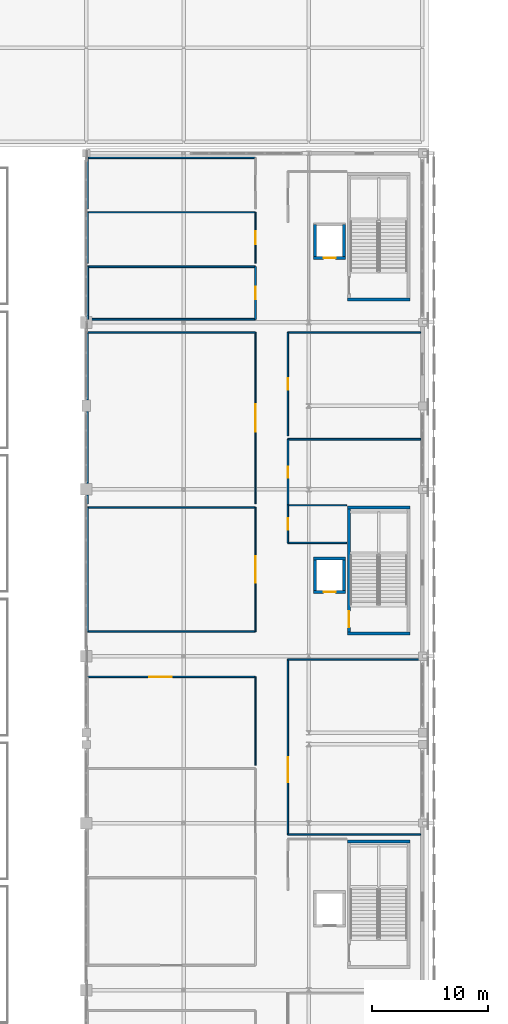
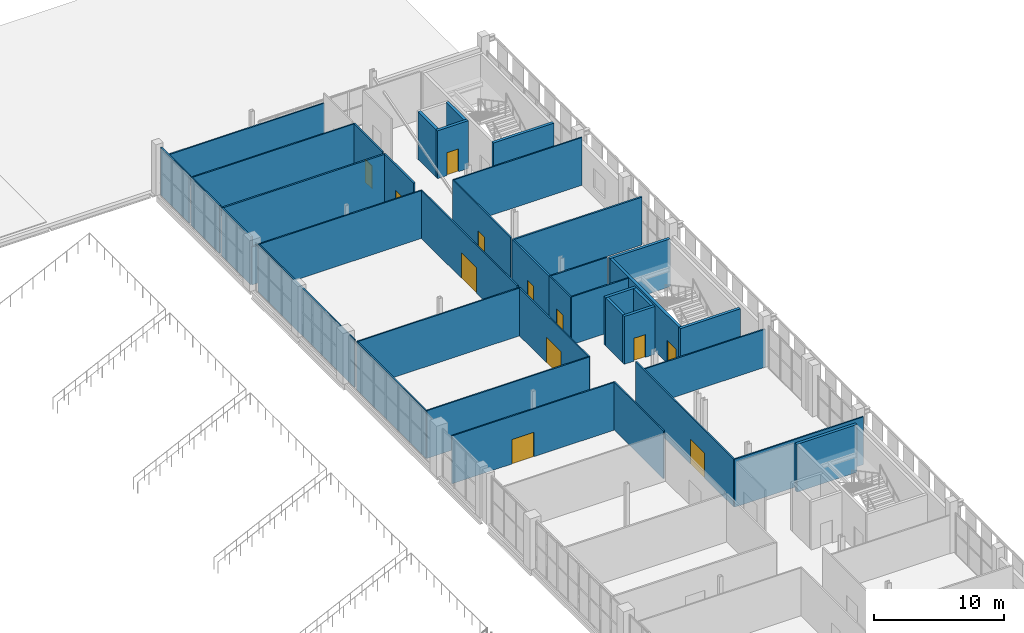
# One storey, part 71 of 104: 40 walls, 12 doors, 12 openings.
"""IFC4 building model written with IfcOpenShell, lengths in metres."""

from ifc_helpers import new_model, si_unit, direction, frame, frame_2d, origin, place, context, subcontext, project, spatial, rectangle, extrude, material, layer, layer_set, type_object, element, fill, save


model = new_model("IFC4")

# Units and contexts
model_context = context("Model", 3, precision=1e-05, world=origin(), true_north=direction((0.0, 1.0)))
body_context = subcontext(model_context, "Body", "Model", "MODEL_VIEW")
ifc_project = project(units=[si_unit("LENGTHUNIT", "METRE"), si_unit("AREAUNIT", "SQUARE_METRE"), si_unit("VOLUMEUNIT", "CUBIC_METRE"), si_unit("PLANEANGLEUNIT", "RADIAN"), si_unit("MASSUNIT", "GRAM", prefix="KILO")], contexts=[model_context])

# Site, building, storey
site_placement = place(None, origin())
site = spatial("IfcSite", under=ifc_project, at=site_placement, CompositionType="ELEMENT")
building_placement = place(site_placement, origin())
building = spatial("IfcBuilding", under=site, at=building_placement, Name="Koshinbarg Plaza Stadium", CompositionType="ELEMENT")
storey_placement = place(building_placement, frame((0.0, 0.0, 19.800048828125)))
storey = spatial("IfcBuildingStorey", under=building, at=storey_placement, Name="L04", CompositionType="ELEMENT", Elevation=19.800048828125)

# Walls
ifc_material_1 = material(Name="Concrete C40/50", Category="concrete")
ifc_layer_1 = layer(ifc_material_1, 0.25)
ifc_layer_set_1 = layer_set([ifc_layer_1], Name="Concrete C40/50")
wall_type_1 = type_object("IfcWallType", Name="WL-CORE-250", PredefinedType="SHEAR", material=ifc_layer_set_1)
for number, where, z_axis, x_axis, name in (
    (1, (217.320068359375, 67.125, 0.0), (0.0, 0.0, 1.0), (-1.0, 0.0, 0.0), "L04 core stair shear wall C08-far IWL-L04-0203"),
    (2, (211.949951171875, 85.074951171875, 0.0), (0.0, 0.0, 1.0), (1.0, 0.0, 0.0), "L04 core stair shear wall C09-near IWL-L04-0226"),
    (3, (217.320068359375, 95.925048828125, 0.0), (0.0, 0.0, 1.0), (-1.0, 0.0, 0.0), "L04 core stair shear wall C09-far IWL-L04-0227"),
):
    element("IfcWall", number, at=place(storey_placement, frame(where, z_axis=z_axis, x_axis=x_axis)), inside=storey, type_object=wall_type_1, Name=name, PredefinedType="SHEAR", context=body_context, shape_type="SweptSolid", body=[
        extrude(rectangle(XDim=5.3701171875, YDim=0.25, at=frame_2d((2.68505859375, 0.0))), origin(), (0.0, 0.0, 1.0), 4.5),
    ])

# Wall, opening, door
wall_1_placement = place(storey_placement, frame((212.074951171875, 85.074951171875, 0.0), z_axis=(0.0, 0.0, 1.0), x_axis=(0.0, 1.0, 0.0)))
wall_1 = element("IfcWall", 4, at=wall_1_placement, inside=storey, type_object=wall_type_1, Name="L04 core stair shear wall C09-left IWL-L04-0228", PredefinedType="SHEAR", context=body_context, shape_type="SweptSolid", body=[
    extrude(rectangle(XDim=10.85009765625, YDim=0.25, at=frame_2d((5.425048828125, 0.0))), origin(), (0.0, 0.0, 1.0), 4.5),
])
opening_1_placement = place(wall_1_placement, frame((0.52001953125, 0.0, 0.0)))
opening_1 = element("IfcOpeningElement", 5, at=opening_1_placement, cuts=wall_1, Name="Opening D-0119", PredefinedType="OPENING", context=body_context, shape_type="SweptSolid", body=[
    extrude(rectangle(XDim=1.39990234375, YDim=2.14990234375, at=frame_2d((0.699951171875, 1.074951171875))), frame((0.0, 0.135009765625, 0.0), z_axis=(0.0, -1.0, 0.0), x_axis=(1.0, 0.0, 0.0)), (0.0, 0.0, 1.0), 0.27001953125),
])
ifc_material_2 = material(Name="Painted galvanized steel fire door", Category="steel")
door_type_1 = type_object("IfcDoorType", Name="DR-STAIR-1400", OperationType="NOTDEFINED", PredefinedType="DOOR", material=ifc_material_2)
door_1_placement = place(opening_1_placement, frame((1.39990234375, 0.0, 0.0), z_axis=(0.0, 0.0, 1.0), x_axis=(-1.0, 0.0, 0.0)))
door_1 = element("IfcDoor", 6, at=door_1_placement, inside=storey, type_object=door_type_1, Name="L04 exit stair door C09", OperationType="SINGLE_SWING_RIGHT", OverallHeight=2.14990234375, OverallWidth=1.39990234375, PredefinedType="DOOR", context=body_context, shape_type="SweptSolid", body=[
    extrude(rectangle(XDim=1.39990234375, YDim=2.14990234375, at=frame_2d((0.699951171875, 1.074951171875))), frame((0.0, 0.02490234375, 0.0), z_axis=(0.0, -1.0, 0.0), x_axis=(1.0, 0.0, 0.0)), (0.0, 0.0, 1.0), 0.050048828125),
])
fill(opening_1, door_1)

# Wall
wall_2_placement = place(storey_placement, frame((211.949951171875, 113.875, 0.0), z_axis=(0.0, 0.0, 1.0), x_axis=(1.0, 0.0, 0.0)))
element("IfcWall", 7, at=wall_2_placement, inside=storey, type_object=wall_type_1, Name="L04 core stair shear wall C10-near IWL-L04-0250", PredefinedType="SHEAR", context=body_context, shape_type="SweptSolid", body=[
    extrude(rectangle(XDim=5.3701171875, YDim=0.25, at=frame_2d((2.68505859375, 0.0))), origin(), (0.0, 0.0, 1.0), 4.5),
])

# Wall, opening, door
wall_3_placement = place(storey_placement, frame((209.02490234375, 88.64990234375, 0.0), z_axis=(0.0, 0.0, 1.0), x_axis=(1.0, 0.0, 0.0)))
wall_3 = element("IfcWall", 8, at=wall_3_placement, inside=storey, type_object=wall_type_1, Name="L04 lift shaft shear wall LP05-S IWL-L04-0926", PredefinedType="SHEAR", context=body_context, shape_type="SweptSolid", body=[
    extrude(rectangle(XDim=2.75, YDim=0.25, at=frame_2d((1.375, 0.0))), origin(), (0.0, 0.0, 1.0), 4.5),
])
opening_2_placement = place(wall_3_placement, frame((0.85009765625, 0.0, 0.0)))
opening_2 = element("IfcOpeningElement", 9, at=opening_2_placement, cuts=wall_3, Name="Opening D-0301", PredefinedType="OPENING", context=body_context, shape_type="SweptSolid", body=[
    extrude(rectangle(XDim=1.050048828125, YDim=2.14990234375, at=frame_2d((0.52490234375, 1.074951171875))), frame((0.0, 0.135009765625, 0.0), z_axis=(0.0, -1.0, 0.0), x_axis=(1.0, 0.0, 0.0)), (0.0, 0.0, 1.0), 0.27001953125),
])
ifc_material_3 = material(Name="Brushed stainless steel sliding lift landing door", Category="steel")
door_type_2 = type_object("IfcDoorType", Name="DR-LIFT-1050", OperationType="NOTDEFINED", PredefinedType="DOOR", material=ifc_material_3)
door_2_placement = place(opening_2_placement, origin())
door_2 = element("IfcDoor", 10, at=door_2_placement, inside=storey, type_object=door_type_2, Name="L04 lift landing door LP05", OperationType="SLIDING_TO_RIGHT", OverallHeight=2.14990234375, OverallWidth=1.050048828125, PredefinedType="DOOR", context=body_context, shape_type="SweptSolid", body=[
    extrude(rectangle(XDim=1.050048828125, YDim=2.14990234375, at=frame_2d((0.52490234375, 1.074951171875))), frame((0.0, 0.02490234375, 0.0), z_axis=(0.0, -1.0, 0.0), x_axis=(1.0, 0.0, 0.0)), (0.0, 0.0, 1.0), 0.050048828125),
])
fill(opening_2, door_2)

# Walls
wall_4_placement = place(storey_placement, frame((211.77490234375, 91.550048828125, 0.0), z_axis=(0.0, 0.0, 1.0), x_axis=(-1.0, 0.0, 0.0)))
element("IfcWall", 11, at=wall_4_placement, inside=storey, type_object=wall_type_1, Name="L04 lift shaft shear wall LP05-N IWL-L04-0927", PredefinedType="SHEAR", context=body_context, shape_type="SweptSolid", body=[
    extrude(rectangle(XDim=2.75, YDim=0.25, at=frame_2d((1.375, 0.0))), origin(), (0.0, 0.0, 1.0), 4.5),
])
for number, where, z_axis, x_axis, name in (
    (12, (209.14990234375, 91.550048828125, 0.0), (0.0, 0.0, 1.0), (0.0, -1.0, 0.0), "L04 lift shaft shear wall LP05-W IWL-L04-0928"),
    (13, (211.64990234375, 88.64990234375, 0.0), (0.0, 0.0, 1.0), (0.0, 1.0, 0.0), "L04 lift shaft shear wall LP05-E IWL-L04-0929"),
):
    element("IfcWall", number, at=place(storey_placement, frame(where, z_axis=z_axis, x_axis=x_axis)), inside=storey, type_object=wall_type_1, Name=name, PredefinedType="SHEAR", context=body_context, shape_type="SweptSolid", body=[
        extrude(rectangle(XDim=2.900146484375, YDim=0.25, at=frame_2d((1.4501953125, 0.0))), origin(), (0.0, 0.0, 1.0), 4.5),
    ])

# Wall, opening, door
wall_5_placement = place(storey_placement, frame((209.02490234375, 117.449951171875, 0.0), z_axis=(0.0, 0.0, 1.0), x_axis=(1.0, 0.0, 0.0)))
wall_5 = element("IfcWall", 14, at=wall_5_placement, inside=storey, type_object=wall_type_1, Name="L04 lift shaft shear wall LP06-S IWL-L04-0950", PredefinedType="SHEAR", context=body_context, shape_type="SweptSolid", body=[
    extrude(rectangle(XDim=2.75, YDim=0.25, at=frame_2d((1.375, 0.0))), origin(), (0.0, 0.0, 1.0), 4.5),
])
opening_3_placement = place(wall_5_placement, frame((0.85009765625, 0.0, 0.0)))
opening_3 = element("IfcOpeningElement", 15, at=opening_3_placement, cuts=wall_5, Name="Opening D-0307", PredefinedType="OPENING", context=body_context, shape_type="SweptSolid", body=[
    extrude(rectangle(XDim=1.050048828125, YDim=2.14990234375, at=frame_2d((0.52490234375, 1.074951171875))), frame((0.0, 0.135009765625, 0.0), z_axis=(0.0, -1.0, 0.0), x_axis=(1.0, 0.0, 0.0)), (0.0, 0.0, 1.0), 0.27001953125),
])
door_3_placement = place(opening_3_placement, origin())
door_3 = element("IfcDoor", 16, at=door_3_placement, inside=storey, type_object=door_type_2, Name="L04 lift landing door LP06", OperationType="SLIDING_TO_LEFT", OverallHeight=2.14990234375, OverallWidth=1.050048828125, PredefinedType="DOOR", context=body_context, shape_type="SweptSolid", body=[
    extrude(rectangle(XDim=1.050048828125, YDim=2.14990234375, at=frame_2d((0.52490234375, 1.074951171875))), frame((0.0, 0.02490234375, 0.0), z_axis=(0.0, -1.0, 0.0), x_axis=(1.0, 0.0, 0.0)), (0.0, 0.0, 1.0), 0.050048828125),
])
fill(opening_3, door_3)

# Walls
for number, where, z_axis, x_axis, name in (
    (17, (209.14990234375, 120.35009765625, 0.0), (0.0, 0.0, 1.0), (0.0, -1.0, 0.0), "L04 lift shaft shear wall LP06-W IWL-L04-0952"),
    (18, (211.64990234375, 117.449951171875, 0.0), (0.0, 0.0, 1.0), (0.0, 1.0, 0.0), "L04 lift shaft shear wall LP06-E IWL-L04-0953"),
):
    element("IfcWall", number, at=place(storey_placement, frame(where, z_axis=z_axis, x_axis=x_axis)), inside=storey, type_object=wall_type_1, Name=name, PredefinedType="SHEAR", context=body_context, shape_type="SweptSolid", body=[
        extrude(rectangle(XDim=2.900146484375, YDim=0.25, at=frame_2d((1.4501953125, 0.0))), origin(), (0.0, 0.0, 1.0), 4.5),
    ])
ifc_material_4 = material(Name="Gypsum board metal-stud acoustic partition")
ifc_layer_2 = layer(ifc_material_4, 0.1201171875)
ifc_layer_set_2 = layer_set([ifc_layer_2], Name="Gypsum board metal-stud acoustic partition")
wall_type_2 = type_object("IfcWallType", Name="WL-PART-120", PredefinedType="PARTITIONING", material=ifc_layer_set_2)
wall_6_placement = place(storey_placement, frame((204.0, 73.705078125, 0.0), z_axis=(0.0, 0.0, 1.0), x_axis=(0.0, 1.0, 0.0)))
element("IfcWall", 19, at=wall_6_placement, inside=storey, type_object=wall_type_2, Name="L04 interior partition L04-71-east IWL-L04-2184", PredefinedType="PARTITIONING", context=body_context, shape_type="SweptSolid", body=[
    extrude(rectangle(XDim=7.614990234375, YDim=0.1201171875, at=frame_2d((3.8076171875, 0.0))), origin(), (0.0, 0.0, 1.0), 4.5),
])

# Wall, opening, door
wall_7_placement = place(storey_placement, frame((204.0, 81.320068359375, 0.0), z_axis=(0.0, 0.0, 1.0), x_axis=(-1.0, 0.0, 0.0)))
wall_7 = element("IfcWall", 20, at=wall_7_placement, inside=storey, type_object=wall_type_2, Name="L04 interior partition L04-71-north IWL-L04-2185", PredefinedType="PARTITIONING", context=body_context, shape_type="SweptSolid", body=[
    extrude(rectangle(XDim=14.47998046875, YDim=0.1201171875, at=frame_2d((7.239990234375, 0.0))), origin(), (0.0, 0.0, 1.0), 4.5),
])
opening_4_placement = place(wall_7_placement, frame((7.20556640625, 0.0, 0.0)))
opening_4 = element("IfcOpeningElement", 21, at=opening_4_placement, cuts=wall_7, Name="Opening D-0754", PredefinedType="OPENING", context=body_context, shape_type="SweptSolid", body=[
    extrude(rectangle(XDim=1.9599609375, YDim=2.300048828125, at=frame_2d((0.97998046875, 1.14990234375))), frame((0.0, 0.070068359375, 0.0), z_axis=(0.0, -1.0, 0.0), x_axis=(1.0, 0.0, 0.0)), (0.0, 0.0, 1.0), 0.14013671875),
])
ifc_material_5 = material(Name="Bronze-anodised aluminium glazed double door", Category="aluminium")
door_type_3 = type_object("IfcDoorType", Name="DR-INT-1960x2300", OperationType="NOTDEFINED", PredefinedType="DOOR", material=ifc_material_5)
door_4_placement = place(opening_4_placement, origin())
door_4 = element("IfcDoor", 22, at=door_4_placement, inside=storey, type_object=door_type_3, Name="L04 East Skybox Suite door D-0754", OperationType="DOUBLE_DOOR_SINGLE_SWING", OverallHeight=2.300048828125, OverallWidth=1.9599609375, PredefinedType="DOOR", context=body_context, shape_type="SweptSolid", body=[
    extrude(rectangle(XDim=1.9599609375, YDim=2.300048828125, at=frame_2d((0.97998046875, 1.14990234375))), frame((0.0, 0.02490234375, 0.0), z_axis=(0.0, -1.0, 0.0), x_axis=(1.0, 0.0, 0.0)), (0.0, 0.0, 1.0), 0.050048828125),
])
fill(opening_4, door_4)

# Walls
wall_8_placement = place(storey_placement, frame((206.800048828125, 67.70751953125, 0.0), z_axis=(0.0, 0.0, 1.0), x_axis=(1.0, 0.0, 0.0)))
element("IfcWall", 23, at=wall_8_placement, inside=storey, type_object=wall_type_2, Name="L04 interior partition L04-73-south IWL-L04-2189", PredefinedType="PARTITIONING", context=body_context, shape_type="SweptSolid", body=[
    extrude(rectangle(XDim=11.454833984375, YDim=0.1201171875, at=frame_2d((5.7275390625, 0.0))), origin(), (0.0, 0.0, 1.0), 4.5),
])
wall_9_placement = place(storey_placement, frame((218.2548828125, 82.830078125, 0.0), z_axis=(0.0, 0.0, 1.0), x_axis=(-1.0, 0.0, 0.0)))
element("IfcWall", 24, at=wall_9_placement, inside=storey, type_object=wall_type_2, Name="L04 interior partition L04-73-north IWL-L04-2190", PredefinedType="PARTITIONING", context=body_context, shape_type="SweptSolid", body=[
    extrude(rectangle(XDim=11.454833984375, YDim=0.1201171875, at=frame_2d((5.7275390625, 0.0))), origin(), (0.0, 0.0, 1.0), 3.579833984375),
])

# Wall, opening, door
wall_10_placement = place(storey_placement, frame((206.800048828125, 82.830078125, 0.0), z_axis=(0.0, 0.0, 1.0), x_axis=(0.0, -1.0, 0.0)))
wall_10 = element("IfcWall", 25, at=wall_10_placement, inside=storey, type_object=wall_type_2, Name="L04 interior partition L04-73-west IWL-L04-2191", PredefinedType="PARTITIONING", context=body_context, shape_type="SweptSolid", body=[
    extrude(rectangle(XDim=15.12255859375, YDim=0.1201171875, at=frame_2d((7.561279296875, 0.0))), origin(), (0.0, 0.0, 1.0), 4.5),
])
opening_5_placement = place(wall_10_placement, frame((8.443115234375, 0.0, 0.0)))
opening_5 = element("IfcOpeningElement", 26, at=opening_5_placement, cuts=wall_10, Name="Opening D-0756", PredefinedType="OPENING", context=body_context, shape_type="SweptSolid", body=[
    extrude(rectangle(XDim=2.159912109375, YDim=2.35009765625, at=frame_2d((1.080078125, 1.175048828125))), frame((0.0, 0.070068359375, 0.0), z_axis=(0.0, -1.0, 0.0), x_axis=(1.0, 0.0, 0.0)), (0.0, 0.0, 1.0), 0.14013671875),
])
ifc_material_6 = material(Name="Galvanized painted steel double leaf door", Category="steel")
door_type_4 = type_object("IfcDoorType", Name="DR-INT-2160x2350", OperationType="NOTDEFINED", PredefinedType="DOOR", material=ifc_material_6)
door_5_placement = place(opening_5_placement, origin())
door_5 = element("IfcDoor", 27, at=door_5_placement, inside=storey, type_object=door_type_4, Name="L04 East Skybox Suite door D-0756", OperationType="DOUBLE_DOOR_SINGLE_SWING", OverallHeight=2.35009765625, OverallWidth=2.159912109375, PredefinedType="DOOR", context=body_context, shape_type="SweptSolid", body=[
    extrude(rectangle(XDim=2.159912109375, YDim=2.35009765625, at=frame_2d((1.080078125, 1.175048828125))), frame((0.0, 0.02490234375, 0.0), z_axis=(0.0, -1.0, 0.0), x_axis=(1.0, 0.0, 0.0)), (0.0, 0.0, 1.0), 0.050048828125),
])
fill(opening_5, door_5)

# Wall
wall_11_placement = place(storey_placement, frame((189.52001953125, 85.22998046875, 0.0), z_axis=(0.0, 0.0, 1.0), x_axis=(1.0, 0.0, 0.0)))
element("IfcWall", 28, at=wall_11_placement, inside=storey, type_object=wall_type_2, Name="L04 interior partition L04-74-south IWL-L04-2192", PredefinedType="PARTITIONING", context=body_context, shape_type="SweptSolid", body=[
    extrude(rectangle(XDim=14.47998046875, YDim=0.1201171875, at=frame_2d((7.239990234375, 0.0))), origin(), (0.0, 0.0, 1.0), 4.5),
])

# Wall, opening, door
wall_12_placement = place(storey_placement, frame((204.0, 85.22998046875, 0.0), z_axis=(0.0, 0.0, 1.0), x_axis=(0.0, 1.0, 0.0)))
wall_12 = element("IfcWall", 29, at=wall_12_placement, inside=storey, type_object=wall_type_2, Name="L04 interior partition L04-74-east IWL-L04-2193", PredefinedType="PARTITIONING", context=body_context, shape_type="SweptSolid", body=[
    extrude(rectangle(XDim=10.7109375, YDim=0.1201171875, at=frame_2d((5.35546875, 0.0))), origin(), (0.0, 0.0, 1.0), 4.5),
])
opening_6_placement = place(wall_12_placement, frame((4.21533203125, 0.0, 0.0)))
opening_6 = element("IfcOpeningElement", 30, at=opening_6_placement, cuts=wall_12, Name="Opening D-0757", PredefinedType="OPENING", context=body_context, shape_type="SweptSolid", body=[
    extrude(rectangle(XDim=2.280029296875, YDim=2.39990234375, at=frame_2d((1.14013671875, 1.199951171875))), frame((0.0, 0.070068359375, 0.0), z_axis=(0.0, -1.0, 0.0), x_axis=(1.0, 0.0, 0.0)), (0.0, 0.0, 1.0), 0.14013671875),
])
ifc_material_7 = material(Name="Anodised aluminium and laminated glass portal door", Category="aluminium")
door_type_5 = type_object("IfcDoorType", Name="DR-INT-2280x2400", OperationType="NOTDEFINED", PredefinedType="DOOR", material=ifc_material_7)
door_6_placement = place(opening_6_placement, origin())
door_6 = element("IfcDoor", 31, at=door_6_placement, inside=storey, type_object=door_type_5, Name="L04 East Skybox Suite door D-0757", OperationType="DOUBLE_DOOR_SINGLE_SWING", OverallHeight=2.39990234375, OverallWidth=2.280029296875, PredefinedType="DOOR", context=body_context, shape_type="SweptSolid", body=[
    extrude(rectangle(XDim=2.280029296875, YDim=2.39990234375, at=frame_2d((1.14013671875, 1.199951171875))), frame((0.0, 0.02490234375, 0.0), z_axis=(0.0, -1.0, 0.0), x_axis=(1.0, 0.0, 0.0)), (0.0, 0.0, 1.0), 0.050048828125),
])
fill(opening_6, door_6)

# Walls
wall_13_placement = place(storey_placement, frame((204.0, 95.94091796875, 0.0), z_axis=(0.0, 0.0, 1.0), x_axis=(-1.0, 0.0, 0.0)))
element("IfcWall", 32, at=wall_13_placement, inside=storey, type_object=wall_type_2, Name="L04 interior partition L04-74-north IWL-L04-2194", PredefinedType="PARTITIONING", context=body_context, shape_type="SweptSolid", body=[
    extrude(rectangle(XDim=14.47998046875, YDim=0.1201171875, at=frame_2d((7.239990234375, 0.0))), origin(), (0.0, 0.0, 1.0), 4.5),
])
wall_14_placement = place(storey_placement, frame((189.52001953125, 95.94091796875, 0.0), z_axis=(0.0, 0.0, 1.0), x_axis=(0.0, -1.0, 0.0)))
element("IfcWall", 33, at=wall_14_placement, inside=storey, type_object=wall_type_2, Name="L04 interior partition L04-74-west IWL-L04-2195", PredefinedType="PARTITIONING", context=body_context, shape_type="SweptSolid", body=[
    extrude(rectangle(XDim=10.7109375, YDim=0.1201171875, at=frame_2d((5.35546875, 0.0))), origin(), (0.0, 0.0, 1.0), 4.5),
])

# Wall, opening, door
wall_15_placement = place(storey_placement, frame((204.0, 96.24072265625, 0.0), z_axis=(0.0, 0.0, 1.0), x_axis=(0.0, 1.0, 0.0)))
wall_15 = element("IfcWall", 34, at=wall_15_placement, inside=storey, type_object=wall_type_2, Name="L04 interior partition L04-75-east IWL-L04-2196", PredefinedType="PARTITIONING", context=body_context, shape_type="SweptSolid", body=[
    extrude(rectangle(XDim=14.809326171875, YDim=0.1201171875, at=frame_2d((7.40478515625, 0.0))), origin(), (0.0, 0.0, 1.0), 4.5),
])
opening_7_placement = place(wall_15_placement, frame((6.224609375, 0.0, 0.0)))
opening_7 = element("IfcOpeningElement", 35, at=opening_7_placement, cuts=wall_15, Name="Opening D-0758", PredefinedType="OPENING", context=body_context, shape_type="SweptSolid", body=[
    extrude(rectangle(XDim=2.360107421875, YDim=2.39990234375, at=frame_2d((1.18017578125, 1.199951171875))), frame((0.0, 0.070068359375, 0.0), z_axis=(0.0, -1.0, 0.0), x_axis=(1.0, 0.0, 0.0)), (0.0, 0.0, 1.0), 0.14013671875),
])
ifc_material_8 = material(Name="Powder-coated steel and tempered glass double door", Category="steel")
door_type_6 = type_object("IfcDoorType", Name="DR-INT-2360x2400", OperationType="NOTDEFINED", PredefinedType="DOOR", material=ifc_material_8)
door_7_placement = place(opening_7_placement, origin())
door_7 = element("IfcDoor", 36, at=door_7_placement, inside=storey, type_object=door_type_6, Name="L04 Supporters' Terrace Lounge door D-0758", OperationType="DOUBLE_DOOR_SINGLE_SWING", OverallHeight=2.39990234375, OverallWidth=2.360107421875, PredefinedType="DOOR", context=body_context, shape_type="SweptSolid", body=[
    extrude(rectangle(XDim=2.360107421875, YDim=2.39990234375, at=frame_2d((1.18017578125, 1.199951171875))), frame((0.0, 0.02490234375, 0.0), z_axis=(0.0, -1.0, 0.0), x_axis=(1.0, 0.0, 0.0)), (0.0, 0.0, 1.0), 0.050048828125),
])
fill(opening_7, door_7)

# Walls
wall_16_placement = place(storey_placement, frame((204.0, 111.050048828125, 0.0), z_axis=(0.0, 0.0, 1.0), x_axis=(-1.0, 0.0, 0.0)))
element("IfcWall", 37, at=wall_16_placement, inside=storey, type_object=wall_type_2, Name="L04 interior partition L04-75-north IWL-L04-2197", PredefinedType="PARTITIONING", context=body_context, shape_type="SweptSolid", body=[
    extrude(rectangle(XDim=14.47998046875, YDim=0.1201171875, at=frame_2d((7.239990234375, 0.0))), origin(), (0.0, 0.0, 1.0), 4.5),
])
wall_17_placement = place(storey_placement, frame((189.52001953125, 111.050048828125, 0.0), z_axis=(0.0, 0.0, 1.0), x_axis=(0.0, -1.0, 0.0)))
element("IfcWall", 38, at=wall_17_placement, inside=storey, type_object=wall_type_2, Name="L04 interior partition L04-75-west IWL-L04-2198", PredefinedType="PARTITIONING", context=body_context, shape_type="SweptSolid", body=[
    extrude(rectangle(XDim=14.809326171875, YDim=0.1201171875, at=frame_2d((7.40478515625, 0.0))), origin(), (0.0, 0.0, 1.0), 4.5),
])
for number, where, z_axis, x_axis, name in (
    (39, (206.800048828125, 92.88330078125, 0.0), (0.0, 0.0, 1.0), (1.0, 0.0, 0.0), "L04 interior partition L04-77-south IWL-L04-2201"),
    (40, (211.8701171875, 96.1298828125, 0.0), (0.0, 0.0, 1.0), (-1.0, 0.0, 0.0), "L04 interior partition L04-77-north IWL-L04-2202"),
):
    element("IfcWall", number, at=place(storey_placement, frame(where, z_axis=z_axis, x_axis=x_axis)), inside=storey, type_object=wall_type_2, Name=name, PredefinedType="PARTITIONING", context=body_context, shape_type="SweptSolid", body=[
        extrude(rectangle(XDim=5.070068359375, YDim=0.1201171875, at=frame_2d((2.53515625, 0.0))), origin(), (0.0, 0.0, 1.0), 4.5),
    ])

# Wall, opening, door
wall_18_placement = place(storey_placement, frame((206.800048828125, 96.1298828125, 0.0), z_axis=(0.0, 0.0, 1.0), x_axis=(0.0, -1.0, 0.0)))
wall_18 = element("IfcWall", 41, at=wall_18_placement, inside=storey, type_object=wall_type_2, Name="L04 interior partition L04-77-west IWL-L04-2203", PredefinedType="PARTITIONING", context=body_context, shape_type="SweptSolid", body=[
    extrude(rectangle(XDim=3.24658203125, YDim=0.1201171875, at=frame_2d((1.623291015625, 0.0))), origin(), (0.0, 0.0, 1.0), 4.5),
])
opening_8_placement = place(wall_18_placement, frame((1.143310546875, 0.0, 0.0)))
opening_8 = element("IfcOpeningElement", 42, at=opening_8_placement, cuts=wall_18, Name="Opening D-0760", PredefinedType="OPENING", context=body_context, shape_type="SweptSolid", body=[
    extrude(rectangle(XDim=0.9599609375, YDim=2.10009765625, at=frame_2d((0.47998046875, 1.050048828125))), frame((0.0, 0.070068359375, 0.0), z_axis=(0.0, -1.0, 0.0), x_axis=(1.0, 0.0, 0.0)), (0.0, 0.0, 1.0), 0.14013671875),
])
ifc_material_9 = material(Name="Solid-core oak veneer acoustic door")
door_type_7 = type_object("IfcDoorType", Name="DR-INT-0960x2100", OperationType="NOTDEFINED", PredefinedType="DOOR", material=ifc_material_9)
door_8_placement = place(opening_8_placement, origin())
door_8 = element("IfcDoor", 43, at=door_8_placement, inside=storey, type_object=door_type_7, Name="L04 Supporters' Viewing Salon door D-0760", OperationType="SINGLE_SWING_RIGHT", OverallHeight=2.10009765625, OverallWidth=0.9599609375, PredefinedType="DOOR", context=body_context, shape_type="SweptSolid", body=[
    extrude(rectangle(XDim=0.9599609375, YDim=2.10009765625, at=frame_2d((0.47998046875, 1.050048828125))), frame((0.0, 0.02490234375, 0.0), z_axis=(0.0, -1.0, 0.0), x_axis=(1.0, 0.0, 0.0)), (0.0, 0.0, 1.0), 0.050048828125),
])
fill(opening_8, door_8)

# Wall
wall_19_placement = place(storey_placement, frame((218.2548828125, 111.050048828125, 0.0), z_axis=(0.0, 0.0, 1.0), x_axis=(-1.0, 0.0, 0.0)))
element("IfcWall", 44, at=wall_19_placement, inside=storey, type_object=wall_type_2, Name="L04 interior partition L04-78-north IWL-L04-2204", PredefinedType="PARTITIONING", context=body_context, shape_type="SweptSolid", body=[
    extrude(rectangle(XDim=11.454833984375, YDim=0.1201171875, at=frame_2d((5.7275390625, 0.0))), origin(), (0.0, 0.0, 1.0), 4.5),
])

# Wall, opening, door
wall_20_placement = place(storey_placement, frame((206.800048828125, 111.050048828125, 0.0), z_axis=(0.0, 0.0, 1.0), x_axis=(0.0, -1.0, 0.0)))
wall_20 = element("IfcWall", 45, at=wall_20_placement, inside=storey, type_object=wall_type_2, Name="L04 interior partition L04-78-west IWL-L04-2205", PredefinedType="PARTITIONING", context=body_context, shape_type="SweptSolid", body=[
    extrude(rectangle(XDim=8.933349609375, YDim=0.1201171875, at=frame_2d((4.466796875, 0.0))), origin(), (0.0, 0.0, 1.0), 4.5),
])
opening_9_placement = place(wall_20_placement, frame((3.966796875, 0.0, 0.0)))
opening_9 = element("IfcOpeningElement", 46, at=opening_9_placement, cuts=wall_20, Name="Opening D-0761", PredefinedType="OPENING", context=body_context, shape_type="SweptSolid", body=[
    extrude(rectangle(XDim=1.0, YDim=2.10009765625, at=frame_2d((0.5, 1.050048828125))), frame((0.0, 0.070068359375, 0.0), z_axis=(0.0, -1.0, 0.0), x_axis=(1.0, 0.0, 0.0)), (0.0, 0.0, 1.0), 0.14013671875),
])
ifc_material_10 = material(Name="Solid-core laminate accessible WC door")
door_type_8 = type_object("IfcDoorType", Name="DR-INT-1000x2100", OperationType="NOTDEFINED", PredefinedType="DOOR", material=ifc_material_10)
door_9_placement = place(opening_9_placement, origin())
door_9 = element("IfcDoor", 47, at=door_9_placement, inside=storey, type_object=door_type_8, Name="L04 Supporters' Viewing Salon door D-0761", OperationType="SINGLE_SWING_LEFT", OverallHeight=2.10009765625, OverallWidth=1.0, PredefinedType="DOOR", context=body_context, shape_type="SweptSolid", body=[
    extrude(rectangle(XDim=1.0, YDim=2.10009765625, at=frame_2d((0.5, 1.050048828125))), frame((0.0, 0.02490234375, 0.0), z_axis=(0.0, -1.0, 0.0), x_axis=(1.0, 0.0, 0.0)), (0.0, 0.0, 1.0), 0.050048828125),
])
fill(opening_9, door_9)

wall_21_placement = place(storey_placement, frame((204.0, 117.010009765625, 0.0), z_axis=(0.0, 0.0, 1.0), x_axis=(0.0, 1.0, 0.0)))
wall_21 = element("IfcWall", 48, at=wall_21_placement, inside=storey, type_object=wall_type_2, Name="L04 interior partition L04-80-east IWL-L04-2210", PredefinedType="PARTITIONING", context=body_context, shape_type="SweptSolid", body=[
    extrude(rectangle(XDim=4.3974609375, YDim=0.1201171875, at=frame_2d((2.19873046875, 0.0))), origin(), (0.0, 0.0, 1.0), 4.5),
])
opening_10_placement = place(wall_21_placement, frame((1.638671875, 0.0, 0.0)))
opening_10 = element("IfcOpeningElement", 49, at=opening_10_placement, cuts=wall_21, Name="Opening D-0763", PredefinedType="OPENING", context=body_context, shape_type="SweptSolid", body=[
    extrude(rectangle(XDim=1.1201171875, YDim=2.14990234375, at=frame_2d((0.56005859375, 1.074951171875))), frame((0.0, 0.070068359375, 0.0), z_axis=(0.0, -1.0, 0.0), x_axis=(1.0, 0.0, 0.0)), (0.0, 0.0, 1.0), 0.14013671875),
])
ifc_material_11 = material(Name="Acoustic timber broadcast studio door", Category="wood")
door_type_9 = type_object("IfcDoorType", Name="DR-INT-1120x2150", OperationType="NOTDEFINED", PredefinedType="DOOR", material=ifc_material_11)
door_10_placement = place(opening_10_placement, origin())
door_10 = element("IfcDoor", 50, at=door_10_placement, inside=storey, type_object=door_type_9, Name="L04 Supporters' Viewing Salon door D-0763", OperationType="SINGLE_SWING_LEFT", OverallHeight=2.14990234375, OverallWidth=1.1201171875, PredefinedType="DOOR", context=body_context, shape_type="SweptSolid", body=[
    extrude(rectangle(XDim=1.1201171875, YDim=2.14990234375, at=frame_2d((0.56005859375, 1.074951171875))), frame((0.0, 0.02490234375, 0.0), z_axis=(0.0, -1.0, 0.0), x_axis=(1.0, 0.0, 0.0)), (0.0, 0.0, 1.0), 0.050048828125),
])
fill(opening_10, door_10)

# Walls
wall_22_placement = place(storey_placement, frame((204.0, 121.407470703125, 0.0), z_axis=(0.0, 0.0, 1.0), x_axis=(-1.0, 0.0, 0.0)))
element("IfcWall", 51, at=wall_22_placement, inside=storey, type_object=wall_type_2, Name="L04 interior partition L04-80-north IWL-L04-2211", PredefinedType="PARTITIONING", context=body_context, shape_type="SweptSolid", body=[
    extrude(rectangle(XDim=14.47998046875, YDim=0.1201171875, at=frame_2d((7.239990234375, 0.0))), origin(), (0.0, 0.0, 1.0), 4.5),
])
wall_23_placement = place(storey_placement, frame((189.52001953125, 121.407470703125, 0.0), z_axis=(0.0, 0.0, 1.0), x_axis=(0.0, -1.0, 0.0)))
element("IfcWall", 52, at=wall_23_placement, inside=storey, type_object=wall_type_2, Name="L04 interior partition L04-80-west IWL-L04-2212", PredefinedType="PARTITIONING", context=body_context, shape_type="SweptSolid", body=[
    extrude(rectangle(XDim=4.3974609375, YDim=0.1201171875, at=frame_2d((2.19873046875, 0.0))), origin(), (0.0, 0.0, 1.0), 4.5),
])
wall_24_placement = place(storey_placement, frame((204.0, 126.10498046875, 0.0), z_axis=(0.0, 0.0, 1.0), x_axis=(-1.0, 0.0, 0.0)))
element("IfcWall", 53, at=wall_24_placement, inside=storey, type_object=wall_type_2, Name="L04 interior partition L04-81-north IWL-L04-2214", PredefinedType="PARTITIONING", context=body_context, shape_type="SweptSolid", body=[
    extrude(rectangle(XDim=14.47998046875, YDim=0.1201171875, at=frame_2d((7.239990234375, 0.0))), origin(), (0.0, 0.0, 1.0), 3.579833984375),
])
wall_25_placement = place(storey_placement, frame((189.52001953125, 126.10498046875, 0.0), z_axis=(0.0, 0.0, 1.0), x_axis=(0.0, -1.0, 0.0)))
element("IfcWall", 54, at=wall_25_placement, inside=storey, type_object=wall_type_2, Name="L04 interior partition L04-81-west IWL-L04-2215", PredefinedType="PARTITIONING", context=body_context, shape_type="SweptSolid", body=[
    extrude(rectangle(XDim=4.3974609375, YDim=0.1201171875, at=frame_2d((2.19873046875, 0.0))), origin(), (0.0, 0.0, 1.0), 4.5),
])
ifc_material_12 = material(Name="Double-layer gypsum acoustic suite partition")
ifc_layer_3 = layer(ifc_material_12, 0.14990234375)
ifc_layer_set_3 = layer_set([ifc_layer_3], Name="Double-layer gypsum acoustic suite partition")
wall_type_3 = type_object("IfcWallType", Name="WL-PART-150", PredefinedType="PARTITIONING", material=ifc_layer_set_3)
wall_26_placement = place(storey_placement, frame((218.2548828125, 101.816650390625, 0.0), z_axis=(0.0, 0.0, 1.0), x_axis=(-1.0, 0.0, 0.0)))
element("IfcWall", 55, at=wall_26_placement, inside=storey, type_object=wall_type_3, Name="L04 interior partition L04-76-north IWL-L04-2199", PredefinedType="PARTITIONING", context=body_context, shape_type="SweptSolid", body=[
    extrude(rectangle(XDim=11.454833984375, YDim=0.14990234375, at=frame_2d((5.7275390625, 0.0))), origin(), (0.0, 0.0, 1.0), 4.5),
])

# Wall, opening, door
wall_27_placement = place(storey_placement, frame((206.800048828125, 101.816650390625, 0.0), z_axis=(0.0, 0.0, 1.0), x_axis=(0.0, -1.0, 0.0)))
wall_27 = element("IfcWall", 56, at=wall_27_placement, inside=storey, type_object=wall_type_3, Name="L04 interior partition L04-76-west IWL-L04-2200", PredefinedType="PARTITIONING", context=body_context, shape_type="SweptSolid", body=[
    extrude(rectangle(XDim=5.686767578125, YDim=0.14990234375, at=frame_2d((2.84326171875, 0.0))), origin(), (0.0, 0.0, 1.0), 4.5),
])
opening_11_placement = place(wall_27_placement, frame((2.38330078125, 0.0, 0.0)))
opening_11 = element("IfcOpeningElement", 57, at=opening_11_placement, cuts=wall_27, Name="Opening D-0759", PredefinedType="OPENING", context=body_context, shape_type="SweptSolid", body=[
    extrude(rectangle(XDim=0.919921875, YDim=2.10009765625, at=frame_2d((0.4599609375, 1.050048828125))), frame((0.0, 0.0849609375, 0.0), z_axis=(0.0, -1.0, 0.0), x_axis=(1.0, 0.0, 0.0)), (0.0, 0.0, 1.0), 0.169921875),
])
door_type_10 = type_object("IfcDoorType", Name="DR-INT-0920x2100", OperationType="NOTDEFINED", PredefinedType="DOOR", material=ifc_material_9)
door_11_placement = place(opening_11_placement, origin())
door_11 = element("IfcDoor", 58, at=door_11_placement, inside=storey, type_object=door_type_10, Name="L04 Acoustic Media Studio door D-0759", OperationType="SINGLE_SWING_LEFT", OverallHeight=2.10009765625, OverallWidth=0.919921875, PredefinedType="DOOR", context=body_context, shape_type="SweptSolid", body=[
    extrude(rectangle(XDim=0.919921875, YDim=2.10009765625, at=frame_2d((0.4599609375, 1.050048828125))), frame((0.0, 0.02490234375, 0.0), z_axis=(0.0, -1.0, 0.0), x_axis=(1.0, 0.0, 0.0)), (0.0, 0.0, 1.0), 0.050048828125),
])
fill(opening_11, door_11)

# Wall
wall_28_placement = place(storey_placement, frame((189.52001953125, 112.169921875, 0.0), z_axis=(0.0, 0.0, 1.0), x_axis=(1.0, 0.0, 0.0)))
element("IfcWall", 59, at=wall_28_placement, inside=storey, type_object=wall_type_3, Name="L04 interior partition L04-79-south IWL-L04-2206", PredefinedType="PARTITIONING", context=body_context, shape_type="SweptSolid", body=[
    extrude(rectangle(XDim=14.47998046875, YDim=0.14990234375, at=frame_2d((7.239990234375, 0.0))), origin(), (0.0, 0.0, 1.0), 3.579833984375),
])

# Wall, opening, door
wall_29_placement = place(storey_placement, frame((204.0, 112.169921875, 0.0), z_axis=(0.0, 0.0, 1.0), x_axis=(0.0, 1.0, 0.0)))
wall_29 = element("IfcWall", 60, at=wall_29_placement, inside=storey, type_object=wall_type_3, Name="L04 interior partition L04-79-east IWL-L04-2207", PredefinedType="PARTITIONING", context=body_context, shape_type="SweptSolid", body=[
    extrude(rectangle(XDim=4.5400390625, YDim=0.14990234375, at=frame_2d((2.27001953125, 0.0))), origin(), (0.0, 0.0, 1.0), 4.5),
])
opening_12_placement = place(wall_29_placement, frame((1.7451171875, 0.0, 0.0)))
opening_12 = element("IfcOpeningElement", 61, at=opening_12_placement, cuts=wall_29, Name="Opening D-0762", PredefinedType="OPENING", context=body_context, shape_type="SweptSolid", body=[
    extrude(rectangle(XDim=1.050048828125, YDim=2.14990234375, at=frame_2d((0.52490234375, 1.074951171875))), frame((0.0, 0.0849609375, 0.0), z_axis=(0.0, -1.0, 0.0), x_axis=(1.0, 0.0, 0.0)), (0.0, 0.0, 1.0), 0.169921875),
])
ifc_material_13 = material(Name="Solid-core oak suite entrance door")
door_type_11 = type_object("IfcDoorType", Name="DR-INT-1050x2150", OperationType="NOTDEFINED", PredefinedType="DOOR", material=ifc_material_13)
door_12_placement = place(opening_12_placement, origin())
door_12 = element("IfcDoor", 62, at=door_12_placement, inside=storey, type_object=door_type_11, Name="L04 Acoustic Media Studio door D-0762", OperationType="SINGLE_SWING_RIGHT", OverallHeight=2.14990234375, OverallWidth=1.050048828125, PredefinedType="DOOR", context=body_context, shape_type="SweptSolid", body=[
    extrude(rectangle(XDim=1.050048828125, YDim=2.14990234375, at=frame_2d((0.52490234375, 1.074951171875))), frame((0.0, 0.02490234375, 0.0), z_axis=(0.0, -1.0, 0.0), x_axis=(1.0, 0.0, 0.0)), (0.0, 0.0, 1.0), 0.050048828125),
])
fill(opening_12, door_12)

# Walls
wall_30_placement = place(storey_placement, frame((204.0, 116.7099609375, 0.0), z_axis=(0.0, 0.0, 1.0), x_axis=(-1.0, 0.0, 0.0)))
element("IfcWall", 63, at=wall_30_placement, inside=storey, type_object=wall_type_3, Name="L04 interior partition L04-79-north IWL-L04-2208", PredefinedType="PARTITIONING", context=body_context, shape_type="SweptSolid", body=[
    extrude(rectangle(XDim=14.47998046875, YDim=0.14990234375, at=frame_2d((7.239990234375, 0.0))), origin(), (0.0, 0.0, 1.0), 4.5),
])
wall_31_placement = place(storey_placement, frame((189.52001953125, 116.7099609375, 0.0), z_axis=(0.0, 0.0, 1.0), x_axis=(0.0, -1.0, 0.0)))
element("IfcWall", 64, at=wall_31_placement, inside=storey, type_object=wall_type_3, Name="L04 interior partition L04-79-west IWL-L04-2209", PredefinedType="PARTITIONING", context=body_context, shape_type="SweptSolid", body=[
    extrude(rectangle(XDim=4.5400390625, YDim=0.14990234375, at=frame_2d((2.27001953125, 0.0))), origin(), (0.0, 0.0, 1.0), 4.5),
])

save(model, "model.ifc")
